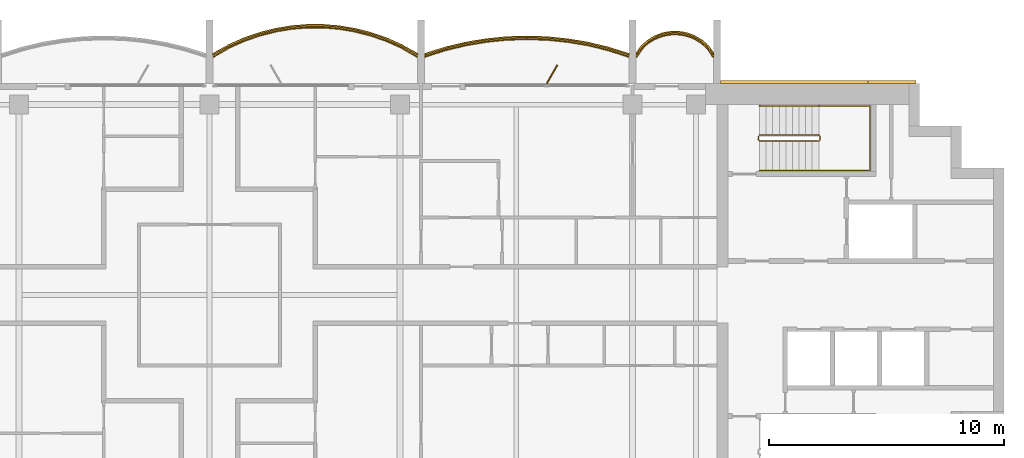
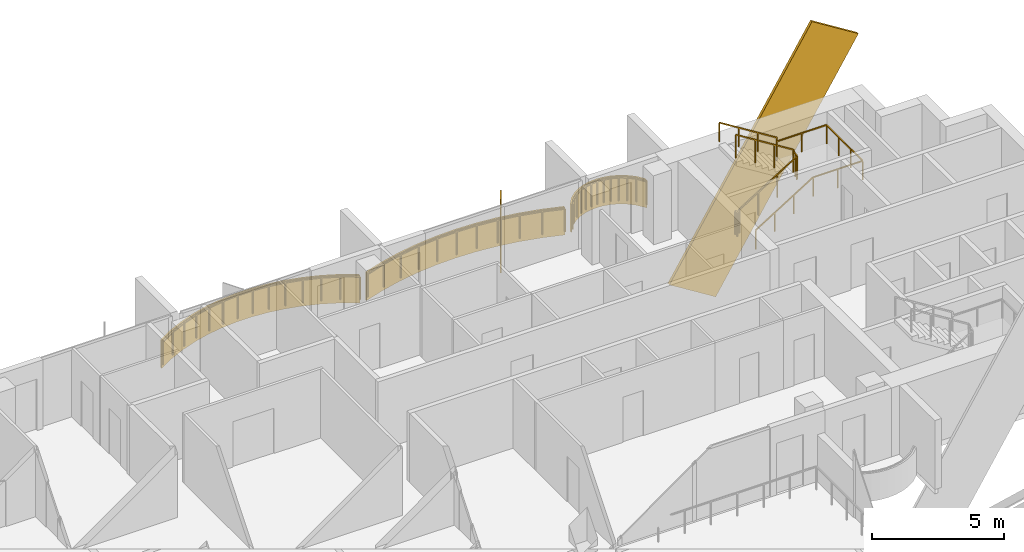
# One storey, part 18 of 18: 5 railings, 4 coverings, 1 shading device.
"""IFC4 building model written with IfcOpenShell, lengths in metres."""

from ifc_helpers import new_model, si_unit, direction, frame, origin, origin_2d, place, context, subcontext, project, spatial, polyline, rectangle, outline, extrude, material, layer, layer_set, material_profile, profile_set, type_object, element, save


model = new_model("IFC4")

# Units and contexts
model_context = context("Model", 3, precision=1e-05, world=origin(), true_north=direction((0.0, 1.0)))
body_context = subcontext(model_context, "Body", "Model", "MODEL_VIEW")
ifc_project = project(units=[si_unit("LENGTHUNIT", "METRE"), si_unit("AREAUNIT", "SQUARE_METRE"), si_unit("VOLUMEUNIT", "CUBIC_METRE"), si_unit("PLANEANGLEUNIT", "RADIAN"), si_unit("MASSUNIT", "GRAM", prefix="KILO")], contexts=[model_context])

# Site, building, storey
site_placement = place(None, origin())
site = spatial("IfcSite", under=ifc_project, at=site_placement, CompositionType="ELEMENT")
building_placement = place(site_placement, origin())
building = spatial("IfcBuilding", under=site, at=building_placement, Name="Perihelion Cross Residences", CompositionType="ELEMENT")
storey_placement = place(building_placement, frame((0.0, 0.0, 281.5)))
storey = spatial("IfcBuildingStorey", under=building, at=storey_placement, Name="L72", CompositionType="ELEMENT", Elevation=281.5)

# Coverings
ifc_material_1 = material(Name="Bronze anodised aluminium", Category="aluminium")
ifc_layer_1 = layer(ifc_material_1, 0.070068359375)
ifc_layer_set_1 = layer_set([ifc_layer_1], Name="Balcony fascia 1300")
covering_type_1 = type_object("IfcCoveringType", Name="Balcony fascia 1300", PredefinedType="CLADDING", material=ifc_layer_set_1)
covering_1_placement = place(storey_placement, frame((0.0, 0.0, -0.199951171875)))
element("IfcCovering", 1, at=covering_1_placement, inside=storey, type_object=covering_type_1, Name="Fascia BF1 L72 east side north bay 1", PredefinedType="CLADDING", context=body_context, shape_type="SweptSolid", body=[
    extrude(outline(polyline([(21.226318359375, 10.616455078125), (20.94091796875, 10.86328125), (20.655517578125, 11.031494140625), (20.370361328125, 11.142578125), (20.085205078125, 11.206298828125), (19.800048828125, 11.22705078125), (19.514892578125, 11.206298828125), (19.229736328125, 11.142578125), (18.9443359375, 11.031494140625), (18.6591796875, 10.86328125), (18.373779296875, 10.616455078125), (18.14990234375, 10.31689453125), (18.14990234375, 10.199951171875), (18.425048828125, 10.568603515625), (18.699951171875, 10.806396484375), (18.97509765625, 10.96875), (19.25, 11.07568359375), (19.52490234375, 11.136962890625), (19.800048828125, 11.156982421875), (20.074951171875, 11.136962890625), (20.35009765625, 11.07568359375), (20.625, 10.96875), (20.89990234375, 10.806396484375), (21.175048828125, 10.568603515625), (21.449951171875, 10.199951171875), (21.449951171875, 10.31689453125), (21.226318359375, 10.616455078125)])), origin(), (0.0, 0.0, 1.0), 1.300048828125),
])
covering_2_placement = place(storey_placement, frame((0.0, 0.0, -0.199951171875)))
element("IfcCovering", 2, at=covering_2_placement, inside=storey, type_object=covering_type_1, Name="Fascia BF1 L72 east side north bay 2", PredefinedType="CLADDING", context=body_context, shape_type="SweptSolid", body=[
    extrude(outline(polyline([(16.998779296875, 10.542724609375), (16.1240234375, 10.753662109375), (15.249267578125, 10.90234375), (14.374755859375, 10.99072265625), (13.5, 11.02001953125), (12.625244140625, 10.99072265625), (11.750732421875, 10.90234375), (10.8759765625, 10.753662109375), (10.001220703125, 10.542724609375), (9.14990234375, 10.2734375), (9.14990234375, 10.199951171875), (10.02001953125, 10.47509765625), (10.889892578125, 10.68505859375), (11.760009765625, 10.8330078125), (12.6298828125, 10.9208984375), (13.5, 10.949951171875), (14.3701171875, 10.9208984375), (15.239990234375, 10.8330078125), (16.110107421875, 10.68505859375), (16.97998046875, 10.47509765625), (17.85009765625, 10.199951171875), (17.85009765625, 10.2734375), (16.998779296875, 10.542724609375)])), origin(), (0.0, 0.0, 1.0), 1.300048828125),
])
covering_3_placement = place(storey_placement, frame((0.0, 0.0, -0.199951171875)))
element("IfcCovering", 3, at=covering_3_placement, inside=storey, type_object=covering_type_1, Name="Fascia BF1 L72 north side east bay 1", PredefinedType="CLADDING", context=body_context, shape_type="SweptSolid", body=[
    extrude(outline(polyline([(8.212158203125, 10.63916015625), (7.537353515625, 10.941650390625), (6.8623046875, 11.175048828125), (6.1875, 11.345947265625), (5.512451171875, 11.457763671875), (4.83740234375, 11.51318359375), (4.16259765625, 11.51318359375), (3.487548828125, 11.457763671875), (2.8125, 11.345947265625), (2.1376953125, 11.175048828125), (1.462646484375, 10.941650390625), (0.787841796875, 10.63916015625), (0.14990234375, 10.2802734375), (0.14990234375, 10.199951171875), (0.8193359375, 10.57666015625), (1.488525390625, 10.87646484375), (2.15771484375, 11.108154296875), (2.826904296875, 11.27734375), (3.49609375, 11.38818359375), (4.165283203125, 11.443115234375), (4.834716796875, 11.443115234375), (5.50390625, 11.38818359375), (6.173095703125, 11.27734375), (6.84228515625, 11.108154296875), (7.511474609375, 10.87646484375), (8.1806640625, 10.57666015625), (8.85009765625, 10.199951171875), (8.85009765625, 10.2802734375), (8.212158203125, 10.63916015625)])), origin(), (0.0, 0.0, 1.0), 1.300048828125),
])

# Railings
ifc_material_2 = material(Name="Bronze anodised aluminium", Category="aluminium")
railing_type_1 = type_object("IfcRailingType", Name="Balcony guard 1100", PredefinedType="GUARDRAIL", material=ifc_material_2)
railing_1_placement = place(storey_placement, frame((21.425048828125, 10.139892578125, 0.0)))
element("IfcRailing", 4, at=railing_1_placement, inside=storey, type_object=railing_type_1, Name="Guard GU1 L72 east side north bay 1 balcony", PredefinedType="GUARDRAIL", context=body_context, shape_type="SweptSolid", body=[
    extrude(rectangle(XDim=0.048095703125, YDim=0.048095703125, at=origin_2d()), frame((0.0, 0.0, 1.076171875), z_axis=(-0.561260132269, 0.827639452857, 0.0), x_axis=(-0.827639452857, -0.561260132269, 0.0)), (0.0, 0.0, 1.0), 0.4453125),
    extrude(rectangle(XDim=0.048095703125, YDim=0.048095703125, at=origin_2d()), frame((-0.25, 0.36865234375, 1.076171875), z_axis=(-0.756596535164, 0.653882009982, 0.0), x_axis=(-0.653882009982, -0.756596535164, 0.0)), (0.0, 0.0, 1.0), 0.36376953125),
    extrude(rectangle(XDim=0.048095703125, YDim=0.048095703125, at=origin_2d()), frame((-0.525146484375, 0.6064453125, 1.076171875), z_axis=(-0.861048292884, 0.508523192511, 0.0), x_axis=(-0.508523192511, -0.861048292884, 0.0)), (0.0, 0.0, 1.0), 0.3193359375),
    extrude(rectangle(XDim=0.048095703125, YDim=0.048095703125, at=origin_2d()), frame((-0.800048828125, 0.768798828125, 1.076171875), z_axis=(-0.931973602183, 0.362526143656, 0.0), x_axis=(-0.362526143656, -0.931973602183, 0.0)), (0.0, 0.0, 1.0), 0.294921875),
    extrude(rectangle(XDim=0.048095703125, YDim=0.048095703125, at=origin_2d()), frame((-1.074951171875, 0.875732421875, 1.076171875), z_axis=(-0.976085059389, 0.21738895289, 0.0), x_axis=(-0.21738895289, -0.976085059389, 0.0)), (0.0, 0.0, 1.0), 0.281982421875),
    extrude(rectangle(XDim=0.048095703125, YDim=0.048095703125, at=origin_2d()), frame((-1.35009765625, 0.93701171875, 1.076171875), z_axis=(-0.997358821833, 0.072631814734, 0.0), x_axis=(-0.072631814734, -0.997358821833, 0.0)), (0.0, 0.0, 1.0), 0.275634765625),
    extrude(rectangle(XDim=0.048095703125, YDim=0.048095703125, at=origin_2d()), frame((-1.625, 0.95703125, 1.076171875), z_axis=(-0.997363488337, -0.072567707226, 0.0), x_axis=(0.072567707226, -0.997363488337, 0.0)), (0.0, 0.0, 1.0), 0.27587890625),
    extrude(rectangle(XDim=0.048095703125, YDim=0.048095703125, at=origin_2d()), frame((-1.900146484375, 0.93701171875, 1.076171875), z_axis=(-0.976044077717, -0.217572880557, 0.0), x_axis=(0.217572880557, -0.976044077717, 0.0)), (0.0, 0.0, 1.0), 0.28173828125),
    extrude(rectangle(XDim=0.048095703125, YDim=0.048095703125, at=origin_2d()), frame((-2.175048828125, 0.875732421875, 1.076171875), z_axis=(-0.931973602183, -0.362526143656, 0.0), x_axis=(0.362526143656, -0.931973602183, 0.0)), (0.0, 0.0, 1.0), 0.294921875),
    extrude(rectangle(XDim=0.048095703125, YDim=0.048095703125, at=origin_2d()), frame((-2.449951171875, 0.768798828125, 1.076171875), z_axis=(-0.861245845072, -0.508188542123, 0.0), x_axis=(0.508188542123, -0.861245845072, 0.0)), (0.0, 0.0, 1.0), 0.319580078125),
    extrude(rectangle(XDim=0.048095703125, YDim=0.048095703125, at=origin_2d()), frame((-2.72509765625, 0.6064453125, 1.076171875), z_axis=(-0.756309278473, -0.654214242658, 0.0), x_axis=(0.654214242658, -0.756309278473, 0.0)), (0.0, 0.0, 1.0), 0.363525390625),
    extrude(rectangle(XDim=0.048095703125, YDim=0.048095703125, at=origin_2d()), frame((-3.0, 0.36865234375, 1.076171875), z_axis=(-0.561260132269, -0.827639452857, 0.0), x_axis=(0.827639452857, -0.561260132269, 0.0)), (0.0, 0.0, 1.0), 0.4453125),
    extrude(rectangle(XDim=0.0419921875, YDim=0.0419921875, at=origin_2d()), origin(), (0.0, 0.0, 1.0), 1.052001953125),
    extrude(rectangle(XDim=0.0419921875, YDim=0.0419921875, at=origin_2d()), frame((-0.25, 0.36865234375, 0.0)), (0.0, 0.0, 1.0), 1.052001953125),
    extrude(rectangle(XDim=0.0419921875, YDim=0.0419921875, at=origin_2d()), frame((-0.525146484375, 0.6064453125, 0.0)), (0.0, 0.0, 1.0), 1.052001953125),
    extrude(rectangle(XDim=0.0419921875, YDim=0.0419921875, at=origin_2d()), frame((-0.800048828125, 0.768798828125, 0.0)), (0.0, 0.0, 1.0), 1.052001953125),
    extrude(rectangle(XDim=0.0419921875, YDim=0.0419921875, at=origin_2d()), frame((-1.074951171875, 0.875732421875, 0.0)), (0.0, 0.0, 1.0), 1.052001953125),
    extrude(rectangle(XDim=0.0419921875, YDim=0.0419921875, at=origin_2d()), frame((-1.35009765625, 0.93701171875, 0.0)), (0.0, 0.0, 1.0), 1.052001953125),
    extrude(rectangle(XDim=0.0419921875, YDim=0.0419921875, at=origin_2d()), frame((-1.625, 0.95703125, 0.0)), (0.0, 0.0, 1.0), 1.052001953125),
    extrude(rectangle(XDim=0.0419921875, YDim=0.0419921875, at=origin_2d()), frame((-1.900146484375, 0.93701171875, 0.0)), (0.0, 0.0, 1.0), 1.052001953125),
    extrude(rectangle(XDim=0.0419921875, YDim=0.0419921875, at=origin_2d()), frame((-2.175048828125, 0.875732421875, 0.0)), (0.0, 0.0, 1.0), 1.052001953125),
    extrude(rectangle(XDim=0.0419921875, YDim=0.0419921875, at=origin_2d()), frame((-2.449951171875, 0.768798828125, 0.0)), (0.0, 0.0, 1.0), 1.052001953125),
    extrude(rectangle(XDim=0.0419921875, YDim=0.0419921875, at=origin_2d()), frame((-2.72509765625, 0.6064453125, 0.0)), (0.0, 0.0, 1.0), 1.052001953125),
    extrude(rectangle(XDim=0.0419921875, YDim=0.0419921875, at=origin_2d()), frame((-3.0, 0.36865234375, 0.0)), (0.0, 0.0, 1.0), 1.052001953125),
    extrude(rectangle(XDim=0.0419921875, YDim=0.0419921875, at=origin_2d()), frame((-3.25, 0.0, 0.0)), (0.0, 0.0, 1.0), 1.052001953125),
])
railing_2_placement = place(storey_placement, frame((17.824951171875, 10.139892578125, 0.0)))
element("IfcRailing", 5, at=railing_2_placement, inside=storey, type_object=railing_type_1, Name="Guard GU1 L72 east side north bay 2 balcony", PredefinedType="GUARDRAIL", context=body_context, shape_type="SweptSolid", body=[
    extrude(rectangle(XDim=0.048095703125, YDim=0.048095703125, at=origin_2d()), frame((0.0, 0.0, 1.076171875), z_axis=(-0.950777354264, 0.30987484993, 0.0), x_axis=(-0.30987484993, -0.950777354264, 0.0)), (0.0, 0.0, 1.0), 0.888671875),
    extrude(rectangle(XDim=0.048095703125, YDim=0.048095703125, at=origin_2d()), frame((-0.844970703125, 0.275390625, 1.076171875), z_axis=(-0.972146551129, 0.234373810671, 0.0), x_axis=(-0.234373810671, -0.972146551129, 0.0)), (0.0, 0.0, 1.0), 0.894775390625),
    extrude(rectangle(XDim=0.048095703125, YDim=0.048095703125, at=origin_2d()), frame((-1.71484375, 0.485107421875, 1.076171875), z_axis=(-0.985850361727, 0.167627755108, 0.0), x_axis=(-0.167627755108, -0.985850361727, 0.0)), (0.0, 0.0, 1.0), 0.882568359375),
    extrude(rectangle(XDim=0.048095703125, YDim=0.048095703125, at=origin_2d()), frame((-2.5849609375, 0.633056640625, 1.076171875), z_axis=(-0.994934368303, 0.100526627165, 0.0), x_axis=(-0.100526627165, -0.994934368303, 0.0)), (0.0, 0.0, 1.0), 0.874267578125),
    extrude(rectangle(XDim=0.048095703125, YDim=0.048095703125, at=origin_2d()), frame((-3.454833984375, 0.720947265625, 1.076171875), z_axis=(-0.999443037968, 0.0333708534, 0.0), x_axis=(-0.0333708534, -0.999443037968, 0.0)), (0.0, 0.0, 1.0), 0.87060546875),
    extrude(rectangle(XDim=0.048095703125, YDim=0.048095703125, at=origin_2d()), frame((-4.324951171875, 0.75, 1.076171875), z_axis=(-0.999443037968, -0.0333708534, 0.0), x_axis=(0.0333708534, -0.999443037968, 0.0)), (0.0, 0.0, 1.0), 0.87060546875),
    extrude(rectangle(XDim=0.048095703125, YDim=0.048095703125, at=origin_2d()), frame((-5.195068359375, 0.720947265625, 1.076171875), z_axis=(-0.994934368303, -0.100526627165, 0.0), x_axis=(0.100526627165, -0.994934368303, 0.0)), (0.0, 0.0, 1.0), 0.874267578125),
    extrude(rectangle(XDim=0.048095703125, YDim=0.048095703125, at=origin_2d()), frame((-6.06494140625, 0.633056640625, 1.076171875), z_axis=(-0.985850361727, -0.167627755108, 0.0), x_axis=(0.167627755108, -0.985850361727, 0.0)), (0.0, 0.0, 1.0), 0.882568359375),
    extrude(rectangle(XDim=0.048095703125, YDim=0.048095703125, at=origin_2d()), frame((-6.93505859375, 0.485107421875, 1.076171875), z_axis=(-0.972146551129, -0.234373810671, 0.0), x_axis=(0.234373810671, -0.972146551129, 0.0)), (0.0, 0.0, 1.0), 0.894775390625),
    extrude(rectangle(XDim=0.048095703125, YDim=0.048095703125, at=origin_2d()), frame((-7.804931640625, 0.275390625, 1.076171875), z_axis=(-0.950777354264, -0.30987484993, 0.0), x_axis=(0.30987484993, -0.950777354264, 0.0)), (0.0, 0.0, 1.0), 0.888671875),
    extrude(rectangle(XDim=0.0419921875, YDim=0.0419921875, at=origin_2d()), origin(), (0.0, 0.0, 1.0), 1.052001953125),
    extrude(rectangle(XDim=0.0419921875, YDim=0.0419921875, at=origin_2d()), frame((-0.844970703125, 0.275390625, 0.0)), (0.0, 0.0, 1.0), 1.052001953125),
    extrude(rectangle(XDim=0.0419921875, YDim=0.0419921875, at=origin_2d()), frame((-1.71484375, 0.485107421875, 0.0)), (0.0, 0.0, 1.0), 1.052001953125),
    extrude(rectangle(XDim=0.0419921875, YDim=0.0419921875, at=origin_2d()), frame((-2.5849609375, 0.633056640625, 0.0)), (0.0, 0.0, 1.0), 1.052001953125),
    extrude(rectangle(XDim=0.0419921875, YDim=0.0419921875, at=origin_2d()), frame((-3.454833984375, 0.720947265625, 0.0)), (0.0, 0.0, 1.0), 1.052001953125),
    extrude(rectangle(XDim=0.0419921875, YDim=0.0419921875, at=origin_2d()), frame((-4.324951171875, 0.75, 0.0)), (0.0, 0.0, 1.0), 1.052001953125),
    extrude(rectangle(XDim=0.0419921875, YDim=0.0419921875, at=origin_2d()), frame((-5.195068359375, 0.720947265625, 0.0)), (0.0, 0.0, 1.0), 1.052001953125),
    extrude(rectangle(XDim=0.0419921875, YDim=0.0419921875, at=origin_2d()), frame((-6.06494140625, 0.633056640625, 0.0)), (0.0, 0.0, 1.0), 1.052001953125),
    extrude(rectangle(XDim=0.0419921875, YDim=0.0419921875, at=origin_2d()), frame((-6.93505859375, 0.485107421875, 0.0)), (0.0, 0.0, 1.0), 1.052001953125),
    extrude(rectangle(XDim=0.0419921875, YDim=0.0419921875, at=origin_2d()), frame((-7.804931640625, 0.275390625, 0.0)), (0.0, 0.0, 1.0), 1.052001953125),
    extrude(rectangle(XDim=0.0419921875, YDim=0.0419921875, at=origin_2d()), frame((-8.64990234375, 0.0, 0.0)), (0.0, 0.0, 1.0), 1.052001953125),
])
railing_3_placement = place(storey_placement, frame((8.824951171875, 10.139892578125, 0.0)))
element("IfcRailing", 6, at=railing_3_placement, inside=storey, type_object=railing_type_1, Name="Guard GU1 L72 north side east bay 1 balcony", PredefinedType="GUARDRAIL", context=body_context, shape_type="SweptSolid", body=[
    extrude(rectangle(XDim=0.048095703125, YDim=0.048095703125, at=origin_2d()), frame((0.0, 0.0, 1.076171875), z_axis=(-0.863125740505, 0.504989065305, 0.0), x_axis=(-0.504989065305, -0.863125740505, 0.0)), (0.0, 0.0, 1.0), 0.746337890625),
    extrude(rectangle(XDim=0.048095703125, YDim=0.048095703125, at=origin_2d()), frame((-0.644287109375, 0.376953125, 1.076171875), z_axis=(-0.912723499295, 0.408577794103, 0.0), x_axis=(-0.408577794103, -0.912723499295, 0.0)), (0.0, 0.0, 1.0), 0.733154296875),
    extrude(rectangle(XDim=0.048095703125, YDim=0.048095703125, at=origin_2d()), frame((-1.3134765625, 0.676513671875, 1.076171875), z_axis=(-0.944965577734, 0.327169767701, 0.0), x_axis=(-0.327169767701, -0.944965577734, 0.0)), (0.0, 0.0, 1.0), 0.708251953125),
    extrude(rectangle(XDim=0.048095703125, YDim=0.048095703125, at=origin_2d()), frame((-1.982666015625, 0.908203125, 1.076171875), z_axis=(-0.96949408574, 0.245114703181, 0.0), x_axis=(-0.245114703181, -0.96949408574, 0.0)), (0.0, 0.0, 1.0), 0.690185546875),
    extrude(rectangle(XDim=0.048095703125, YDim=0.048095703125, at=origin_2d()), frame((-2.65185546875, 1.077392578125, 1.076171875), z_axis=(-0.986500713816, 0.163756959061, 0.0), x_axis=(-0.163756959061, -0.986500713816, 0.0)), (0.0, 0.0, 1.0), 0.678466796875),
    extrude(rectangle(XDim=0.048095703125, YDim=0.048095703125, at=origin_2d()), frame((-3.321044921875, 1.1884765625, 1.076171875), z_axis=(-0.996677390684, 0.081450468994, 0.0), x_axis=(-0.081450468994, -0.996677390684, 0.0)), (0.0, 0.0, 1.0), 0.67138671875),
    extrude(rectangle(XDim=0.048095703125, YDim=0.048095703125, at=origin_2d()), frame((-3.990234375, 1.2431640625, 1.076171875), z_axis=(-1.0, 0.0, 0.0), x_axis=(0.0, -1.0, 0.0)), (0.0, 0.0, 1.0), 0.66943359375),
    extrude(rectangle(XDim=0.048095703125, YDim=0.048095703125, at=origin_2d()), frame((-4.65966796875, 1.2431640625, 1.076171875), z_axis=(-0.996677390684, -0.081450468994, 0.0), x_axis=(0.081450468994, -0.996677390684, 0.0)), (0.0, 0.0, 1.0), 0.67138671875),
    extrude(rectangle(XDim=0.048095703125, YDim=0.048095703125, at=origin_2d()), frame((-5.328857421875, 1.1884765625, 1.076171875), z_axis=(-0.986500713816, -0.163756959061, 0.0), x_axis=(0.163756959061, -0.986500713816, 0.0)), (0.0, 0.0, 1.0), 0.678466796875),
    extrude(rectangle(XDim=0.048095703125, YDim=0.048095703125, at=origin_2d()), frame((-5.998046875, 1.077392578125, 1.076171875), z_axis=(-0.96949408574, -0.245114703181, 0.0), x_axis=(0.245114703181, -0.96949408574, 0.0)), (0.0, 0.0, 1.0), 0.690185546875),
    extrude(rectangle(XDim=0.048095703125, YDim=0.048095703125, at=origin_2d()), frame((-6.667236328125, 0.908203125, 1.076171875), z_axis=(-0.944965577734, -0.327169767701, 0.0), x_axis=(0.327169767701, -0.944965577734, 0.0)), (0.0, 0.0, 1.0), 0.708251953125),
    extrude(rectangle(XDim=0.048095703125, YDim=0.048095703125, at=origin_2d()), frame((-7.33642578125, 0.676513671875, 1.076171875), z_axis=(-0.912723499295, -0.408577794103, 0.0), x_axis=(0.408577794103, -0.912723499295, 0.0)), (0.0, 0.0, 1.0), 0.733154296875),
    extrude(rectangle(XDim=0.048095703125, YDim=0.048095703125, at=origin_2d()), frame((-8.005615234375, 0.376953125, 1.076171875), z_axis=(-0.863125740505, -0.504989065305, 0.0), x_axis=(0.504989065305, -0.863125740505, 0.0)), (0.0, 0.0, 1.0), 0.746337890625),
    extrude(rectangle(XDim=0.0419921875, YDim=0.0419921875, at=origin_2d()), origin(), (0.0, 0.0, 1.0), 1.052001953125),
    extrude(rectangle(XDim=0.0419921875, YDim=0.0419921875, at=origin_2d()), frame((-0.644287109375, 0.376953125, 0.0)), (0.0, 0.0, 1.0), 1.052001953125),
    extrude(rectangle(XDim=0.0419921875, YDim=0.0419921875, at=origin_2d()), frame((-1.3134765625, 0.676513671875, 0.0)), (0.0, 0.0, 1.0), 1.052001953125),
    extrude(rectangle(XDim=0.0419921875, YDim=0.0419921875, at=origin_2d()), frame((-1.982666015625, 0.908203125, 0.0)), (0.0, 0.0, 1.0), 1.052001953125),
    extrude(rectangle(XDim=0.0419921875, YDim=0.0419921875, at=origin_2d()), frame((-2.65185546875, 1.077392578125, 0.0)), (0.0, 0.0, 1.0), 1.052001953125),
    extrude(rectangle(XDim=0.0419921875, YDim=0.0419921875, at=origin_2d()), frame((-3.321044921875, 1.1884765625, 0.0)), (0.0, 0.0, 1.0), 1.052001953125),
    extrude(rectangle(XDim=0.0419921875, YDim=0.0419921875, at=origin_2d()), frame((-3.990234375, 1.2431640625, 0.0)), (0.0, 0.0, 1.0), 1.052001953125),
    extrude(rectangle(XDim=0.0419921875, YDim=0.0419921875, at=origin_2d()), frame((-4.65966796875, 1.2431640625, 0.0)), (0.0, 0.0, 1.0), 1.052001953125),
    extrude(rectangle(XDim=0.0419921875, YDim=0.0419921875, at=origin_2d()), frame((-5.328857421875, 1.1884765625, 0.0)), (0.0, 0.0, 1.0), 1.052001953125),
    extrude(rectangle(XDim=0.0419921875, YDim=0.0419921875, at=origin_2d()), frame((-5.998046875, 1.077392578125, 0.0)), (0.0, 0.0, 1.0), 1.052001953125),
    extrude(rectangle(XDim=0.0419921875, YDim=0.0419921875, at=origin_2d()), frame((-6.667236328125, 0.908203125, 0.0)), (0.0, 0.0, 1.0), 1.052001953125),
    extrude(rectangle(XDim=0.0419921875, YDim=0.0419921875, at=origin_2d()), frame((-7.33642578125, 0.676513671875, 0.0)), (0.0, 0.0, 1.0), 1.052001953125),
    extrude(rectangle(XDim=0.0419921875, YDim=0.0419921875, at=origin_2d()), frame((-8.005615234375, 0.376953125, 0.0)), (0.0, 0.0, 1.0), 1.052001953125),
    extrude(rectangle(XDim=0.0419921875, YDim=0.0419921875, at=origin_2d()), frame((-8.64990234375, 0.0, 0.0)), (0.0, 0.0, 1.0), 1.052001953125),
])

# Covering
ifc_material_3 = material(Name="Bronze anodised aluminium", Category="aluminium")
ifc_material_profile = material_profile(ifc_material_3, rectangle(XDim=0.125, YDim=2.39990234375, at=origin_2d()), Name="Bronze cladding band 2400")
ifc_profile_set = profile_set([ifc_material_profile], Name="Bronze anodised aluminium")
covering_type_2 = type_object("IfcCoveringType", Name="Bronze cladding band 2400", PredefinedType="CLADDING", material=ifc_profile_set)
covering_4_placement = place(storey_placement, frame((22.767578125, 9.0625, -3.78759765625), z_axis=(0.529915403603, 0.0, 0.848050508534), x_axis=(0.0, 1.0, 0.0)))
element("IfcCovering", 7, at=covering_4_placement, inside=storey, type_object=covering_type_2, Name="Core cladding band, east core", PredefinedType="CLADDING", context=body_context, shape_type="SweptSolid", body=[
    extrude(rectangle(XDim=0.125, YDim=2.39990234375, at=origin_2d()), origin(), (0.0, 0.0, 1.0), 11.822021484375),
])

# Shading device
ifc_material_4 = material(Name="Bronze anodised aluminium", Category="aluminium")
ifc_layer_2 = layer(ifc_material_4, 0.050048828125)
ifc_layer_set_2 = layer_set([ifc_layer_2], Name="Bronze fin 900")
shading_device_type = type_object("IfcShadingDeviceType", Name="Bronze fin 900", PredefinedType="USERDEFINED", material=ifc_layer_set_2)
shading_device_placement = place(storey_placement, frame((14.574951171875, 9.3896484375, 0.0), z_axis=(0.0, 0.0, 1.0), x_axis=(0.5, 0.866025403784, 0.0)))
element("IfcShadingDevice", 8, at=shading_device_placement, inside=storey, type_object=shading_device_type, Name="Fin FN1 L72 east side north bay 2", ObjectType="FIN", PredefinedType="USERDEFINED", context=body_context, shape_type="SweptSolid", body=[
    extrude(rectangle(XDim=0.89990234375, YDim=0.050048828125, at=origin_2d()), origin(), (0.0, 0.0, 1.0), 3.199951171875),
])

# Railings
ifc_material_5 = material(Name="Stainless steel", Category="steel")
railing_type_2 = type_object("IfcRailingType", Name="Stair guard 1100", PredefinedType="GUARDRAIL", material=ifc_material_5)
railing_4_placement = place(storey_placement, frame((23.35009765625, 6.75, 0.0)))
element("IfcRailing", 9, at=railing_4_placement, inside=storey, type_object=railing_type_2, Name="L72 ST-E1 stair guard 1", PredefinedType="GUARDRAIL", context=body_context, shape_type="SweptSolid", body=[
    extrude(rectangle(XDim=0.048095703125, YDim=0.048095703125, at=origin_2d()), frame((0.0, 0.0, 1.076171875), z_axis=(0.0, -1.0, 0.0), x_axis=(1.0, 0.0, 0.0)), (0.0, 0.0, 1.0), 0.14990234375),
    extrude(rectangle(XDim=0.048095703125, YDim=0.048095703125, at=origin_2d()), frame((0.0, -0.14990234375, 1.076171875), z_axis=(0.263862480399, -0.265155923931, 0.927399011991), x_axis=(0.708833529934, 0.705375805398, 0.0)), (0.0, 0.0, 1.0), 0.188720703125),
    extrude(rectangle(XDim=0.048095703125, YDim=0.048095703125, at=origin_2d()), frame((0.0498046875, -0.199951171875, 1.2509765625), z_axis=(0.848007534815, 0.0, 0.529984170421), x_axis=(0.0, 1.0, 0.0)), (0.0, 0.0, 1.0), 2.9716796875),
    extrude(rectangle(XDim=0.048095703125, YDim=0.048095703125, at=origin_2d()), frame((2.56982421875, -0.199951171875, 2.826171875), z_axis=(0.707106781187, 0.707106781187, 0.0), x_axis=(-0.707106781187, 0.707106781187, 0.0)), (0.0, 0.0, 1.0), 0.07080078125),
    extrude(rectangle(XDim=0.048095703125, YDim=0.048095703125, at=origin_2d()), frame((2.619873046875, -0.14990234375, 2.826171875), z_axis=(0.0, 1.0, 0.0), x_axis=(-1.0, 0.0, 0.0)), (0.0, 0.0, 1.0), 0.14990234375),
    extrude(rectangle(XDim=0.048095703125, YDim=0.048095703125, at=origin_2d()), frame((2.619873046875, 0.0, 2.826171875), z_axis=(-0.265065253269, 0.265065253269, 0.927081885822), x_axis=(-0.707106781187, -0.707106781187, 0.0)), (0.0, 0.0, 1.0), 0.188720703125),
    extrude(rectangle(XDim=0.048095703125, YDim=0.048095703125, at=origin_2d()), frame((2.56982421875, 0.050048828125, 3.0009765625), z_axis=(-0.848007534815, 0.0, 0.529984170421), x_axis=(0.0, -1.0, 0.0)), (0.0, 0.0, 1.0), 2.9716796875),
    extrude(rectangle(XDim=0.0419921875, YDim=0.0419921875, at=origin_2d()), origin(), (0.0, 0.0, 1.0), 1.052001953125),
    extrude(rectangle(XDim=0.0419921875, YDim=0.0419921875, at=origin_2d()), frame((0.0, -0.14990234375, 0.0)), (0.0, 0.0, 1.0), 1.052001953125),
    extrude(rectangle(XDim=0.0419921875, YDim=0.0419921875, at=origin_2d()), frame((0.0498046875, -0.199951171875, 0.175048828125)), (0.0, 0.0, 1.0), 1.052001953125),
    extrude(rectangle(XDim=0.0419921875, YDim=0.0419921875, at=origin_2d()), frame((0.889892578125, -0.199951171875, 0.699951171875)), (0.0, 0.0, 1.0), 1.052001953125),
    extrude(rectangle(XDim=0.0419921875, YDim=0.0419921875, at=origin_2d()), frame((1.729736328125, -0.199951171875, 1.22509765625)), (0.0, 0.0, 1.0), 1.052001953125),
    extrude(rectangle(XDim=0.0419921875, YDim=0.0419921875, at=origin_2d()), frame((2.56982421875, -0.199951171875, 1.75)), (0.0, 0.0, 1.0), 1.052001953125),
    extrude(rectangle(XDim=0.0419921875, YDim=0.0419921875, at=origin_2d()), frame((2.619873046875, -0.14990234375, 1.75)), (0.0, 0.0, 1.0), 1.052001953125),
    extrude(rectangle(XDim=0.0419921875, YDim=0.0419921875, at=origin_2d()), frame((2.619873046875, 0.0, 1.75)), (0.0, 0.0, 1.0), 1.052001953125),
    extrude(rectangle(XDim=0.0419921875, YDim=0.0419921875, at=origin_2d()), frame((2.56982421875, 0.050048828125, 1.925048828125)), (0.0, 0.0, 1.0), 1.052001953125),
    extrude(rectangle(XDim=0.0419921875, YDim=0.0419921875, at=origin_2d()), frame((1.729736328125, 0.050048828125, 2.449951171875)), (0.0, 0.0, 1.0), 1.052001953125),
    extrude(rectangle(XDim=0.0419921875, YDim=0.0419921875, at=origin_2d()), frame((0.889892578125, 0.050048828125, 2.97509765625)), (0.0, 0.0, 1.0), 1.052001953125),
    extrude(rectangle(XDim=0.0419921875, YDim=0.0419921875, at=origin_2d()), frame((0.0498046875, 0.050048828125, 3.5)), (0.0, 0.0, 1.0), 1.052001953125),
])
ifc_material_6 = material(Name="Stainless steel", Category="steel")
railing_type_3 = type_object("IfcRailingType", Name="Stair handrail 900", PredefinedType="HANDRAIL", material=ifc_material_6)
railing_5_placement = place(storey_placement, frame((23.39990234375, 5.300048828125, 0.175048828125)))
element("IfcRailing", 10, at=railing_5_placement, inside=storey, type_object=railing_type_3, Name="L72 ST-E1 stair handrail 1", PredefinedType="HANDRAIL", context=body_context, shape_type="SweptSolid", body=[
    extrude(rectangle(XDim=0.048095703125, YDim=0.048095703125, at=origin_2d()), frame((0.0, 0.0, 0.8759765625), z_axis=(0.848007534815, 0.0, 0.529984170421), x_axis=(0.0, 1.0, 0.0)), (0.0, 0.0, 1.0), 2.9716796875),
    extrude(rectangle(XDim=0.048095703125, YDim=0.048095703125, at=origin_2d()), frame((2.52001953125, 0.0, 2.45068359375), z_axis=(1.0, 0.0, 0.0), x_axis=(0.0, 1.0, 0.0)), (0.0, 0.0, 1.0), 2.18017578125),
    extrude(rectangle(XDim=0.048095703125, YDim=0.048095703125, at=origin_2d()), frame((4.7001953125, 0.0, 2.45068359375), z_axis=(0.0, 1.0, 0.0), x_axis=(-1.0, 0.0, 0.0)), (0.0, 0.0, 1.0), 2.75),
    extrude(rectangle(XDim=0.048095703125, YDim=0.048095703125, at=origin_2d()), frame((4.7001953125, 2.75, 2.45068359375), z_axis=(-1.0, 0.0, 0.0), x_axis=(0.0, -1.0, 0.0)), (0.0, 0.0, 1.0), 2.18017578125),
    extrude(rectangle(XDim=0.048095703125, YDim=0.048095703125, at=origin_2d()), frame((2.52001953125, 2.75, 2.45068359375), z_axis=(0.0, 0.0, 1.0), x_axis=(1.0, 0.0, 0.0)), (0.0, 0.0, 1.0), 0.175048828125),
    extrude(rectangle(XDim=0.048095703125, YDim=0.048095703125, at=origin_2d()), frame((2.52001953125, 2.75, 2.6259765625), z_axis=(-0.848007534815, 0.0, 0.529984170421), x_axis=(0.0, -1.0, 0.0)), (0.0, 0.0, 1.0), 2.9716796875),
    extrude(rectangle(XDim=0.0419921875, YDim=0.0419921875, at=origin_2d()), origin(), (0.0, 0.0, 1.0), 0.851806640625),
    extrude(rectangle(XDim=0.0419921875, YDim=0.0419921875, at=origin_2d()), frame((0.840087890625, 0.0, 0.52490234375)), (0.0, 0.0, 1.0), 0.851806640625),
    extrude(rectangle(XDim=0.0419921875, YDim=0.0419921875, at=origin_2d()), frame((1.679931640625, 0.0, 1.050048828125)), (0.0, 0.0, 1.0), 0.851806640625),
    extrude(rectangle(XDim=0.0419921875, YDim=0.0419921875, at=origin_2d()), frame((2.52001953125, 0.0, 1.574951171875)), (0.0, 0.0, 1.0), 0.851806640625),
    extrude(rectangle(XDim=0.0419921875, YDim=0.0419921875, at=origin_2d()), frame((3.610107421875, 0.0, 1.574951171875)), (0.0, 0.0, 1.0), 0.851806640625),
    extrude(rectangle(XDim=0.0419921875, YDim=0.0419921875, at=origin_2d()), frame((4.7001953125, 0.0, 1.574951171875)), (0.0, 0.0, 1.0), 0.851806640625),
    extrude(rectangle(XDim=0.0419921875, YDim=0.0419921875, at=origin_2d()), frame((4.7001953125, 0.916748046875, 1.574951171875)), (0.0, 0.0, 1.0), 0.851806640625),
    extrude(rectangle(XDim=0.0419921875, YDim=0.0419921875, at=origin_2d()), frame((4.7001953125, 1.833251953125, 1.574951171875)), (0.0, 0.0, 1.0), 0.851806640625),
    extrude(rectangle(XDim=0.0419921875, YDim=0.0419921875, at=origin_2d()), frame((4.7001953125, 2.75, 1.574951171875)), (0.0, 0.0, 1.0), 0.851806640625),
    extrude(rectangle(XDim=0.0419921875, YDim=0.0419921875, at=origin_2d()), frame((3.610107421875, 2.75, 1.574951171875)), (0.0, 0.0, 1.0), 0.851806640625),
    extrude(rectangle(XDim=0.0419921875, YDim=0.0419921875, at=origin_2d()), frame((2.52001953125, 2.75, 1.574951171875)), (0.0, 0.0, 1.0), 0.851806640625),
    extrude(rectangle(XDim=0.0419921875, YDim=0.0419921875, at=origin_2d()), frame((2.52001953125, 2.75, 1.75)), (0.0, 0.0, 1.0), 0.851806640625),
    extrude(rectangle(XDim=0.0419921875, YDim=0.0419921875, at=origin_2d()), frame((1.679931640625, 2.75, 2.27490234375)), (0.0, 0.0, 1.0), 0.851806640625),
    extrude(rectangle(XDim=0.0419921875, YDim=0.0419921875, at=origin_2d()), frame((0.840087890625, 2.75, 2.800048828125)), (0.0, 0.0, 1.0), 0.851806640625),
    extrude(rectangle(XDim=0.0419921875, YDim=0.0419921875, at=origin_2d()), frame((0.0, 2.75, 3.324951171875)), (0.0, 0.0, 1.0), 0.851806640625),
])

save(model, "model.ifc")
